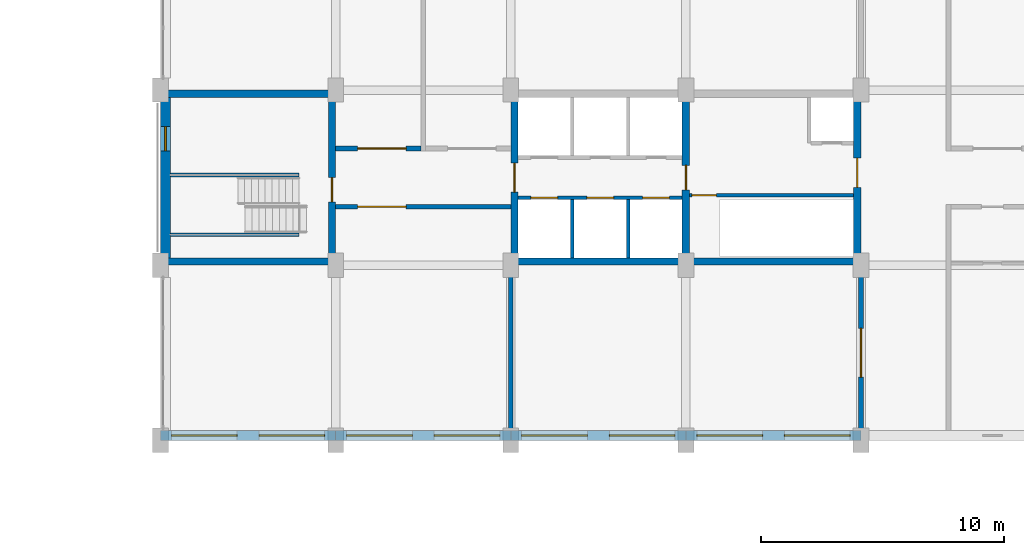
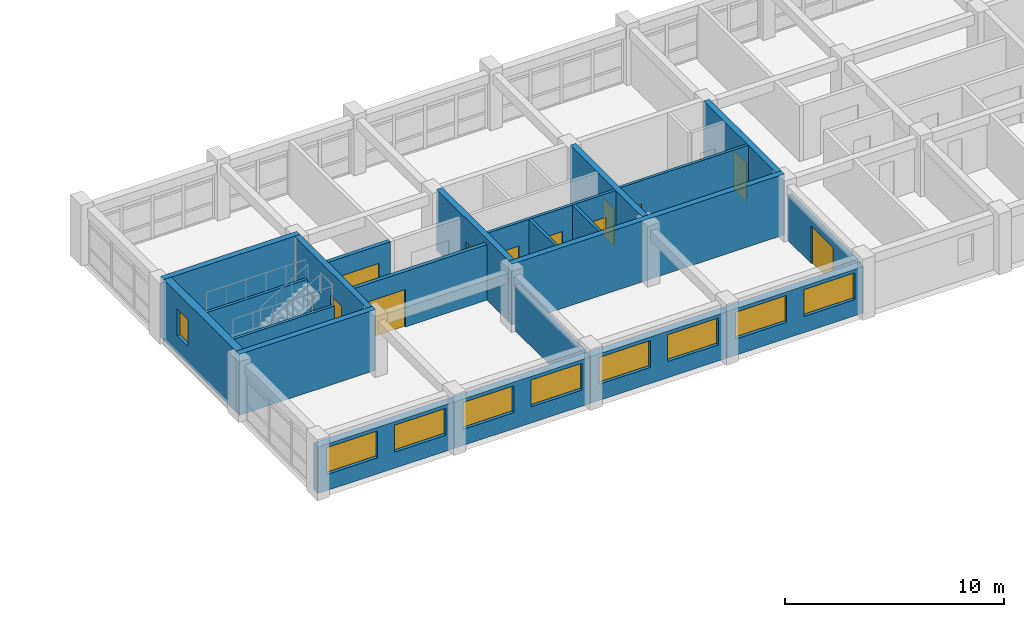
# One storey, part 15 of 19: 22 walls, 11 doors, 9 windows, 20 openings.
"""IFC4 building model written with IfcOpenShell, lengths in metres."""

from ifc_helpers import new_model, si_unit, direction, frame, frame_2d, origin, place, context, subcontext, project, spatial, rectangle, extrude, material, layer, layer_set, type_object, element, fill, save


model = new_model("IFC4")

# Units and contexts
model_context = context("Model", 3, precision=1e-05, world=origin(), true_north=direction((0.0, 1.0)))
body_context = subcontext(model_context, "Body", "Model", "MODEL_VIEW")
ifc_project = project(units=[si_unit("LENGTHUNIT", "METRE"), si_unit("AREAUNIT", "SQUARE_METRE"), si_unit("VOLUMEUNIT", "CUBIC_METRE"), si_unit("PLANEANGLEUNIT", "RADIAN"), si_unit("MASSUNIT", "GRAM", prefix="KILO")], contexts=[model_context])

# Site, building, storey
site_placement = place(None, origin())
site = spatial("IfcSite", under=ifc_project, at=site_placement, CompositionType="ELEMENT")
building_placement = place(site_placement, origin())
building = spatial("IfcBuilding", under=site, at=building_placement, Name="Vermilion Court Aquatics Centre", CompositionType="ELEMENT")
storey_placement = place(building_placement, frame((0.0, 0.0, 19.89990234375)))
storey = spatial("IfcBuildingStorey", under=building, at=storey_placement, Name="L04", CompositionType="ELEMENT", Elevation=19.89990234375)

# Wall, openings, windows
ifc_material_1 = material(Name="Brick masonry", Category="masonry")
ifc_layer_1 = layer(ifc_material_1, 0.39990234375)
ifc_layer_set_1 = layer_set([ifc_layer_1], Name="North block brick facade wall 400")
wall_type_1 = type_object("IfcWallType", Name="North block brick facade wall 400", PredefinedType="SOLIDWALL", material=ifc_layer_set_1)
wall_1_placement = place(storey_placement, frame((144.0, 93.800048828125, 0.0), z_axis=(0.0, 0.0, 1.0), x_axis=(1.0, 0.0, 0.0)))
wall_1 = element("IfcWall", 1, at=wall_1_placement, inside=storey, type_object=wall_type_1, Name="Brick facade wall S1 L04", PredefinedType="SOLIDWALL", context=body_context, shape_type="SweptSolid", body=[
    extrude(rectangle(XDim=7.199951171875, YDim=0.39990234375, at=frame_2d((3.60009765625, 0.0))), origin(), (0.0, 0.0, 1.0), 2.60009765625),
])
opening_1_placement = place(wall_1_placement, frame((0.449951171875, 0.0, 0.89990234375)))
opening_1 = element("IfcOpeningElement", 2, at=opening_1_placement, cuts=wall_1, Name="Opening UWN8", PredefinedType="OPENING", context=body_context, shape_type="SweptSolid", body=[
    extrude(rectangle(XDim=2.699951171875, YDim=1.5, at=frame_2d((1.35009765625, 0.75))), frame((0.0, 0.2099609375, 0.0), z_axis=(0.0, -1.0, 0.0), x_axis=(1.0, 0.0, 0.0)), (0.0, 0.0, 1.0), 0.419921875),
])
opening_2_placement = place(wall_1_placement, frame((4.050048828125, 0.0, 0.89990234375)))
opening_2 = element("IfcOpeningElement", 3, at=opening_2_placement, cuts=wall_1, Name="Opening UWN8", PredefinedType="OPENING", context=body_context, shape_type="SweptSolid", body=[
    extrude(rectangle(XDim=2.699951171875, YDim=1.5, at=frame_2d((1.35009765625, 0.75))), frame((0.0, 0.2099609375, 0.0), z_axis=(0.0, -1.0, 0.0), x_axis=(1.0, 0.0, 0.0)), (0.0, 0.0, 1.0), 0.419921875),
])
ifc_material_2 = material(Name="Aluminium 6063-T5", Category="aluminium")
window_type_1 = type_object("IfcWindowType", Name="North block hall window 2700x1500", PartitioningType="TRIPLE_PANEL_VERTICAL", PredefinedType="WINDOW", material=ifc_material_2)
window_1_placement = place(opening_1_placement, origin())
window_1 = element("IfcWindow", 4, at=window_1_placement, inside=storey, type_object=window_type_1, Name="Window s 0 L04", OverallHeight=1.5, OverallWidth=2.699951171875, PartitioningType="TRIPLE_PANEL_VERTICAL", PredefinedType="WINDOW", context=body_context, shape_type="SweptSolid", body=[
    extrude(rectangle(XDim=2.699951171875, YDim=1.5, at=frame_2d((1.35009765625, 0.75))), frame((0.0, 0.030029296875, 0.0), z_axis=(0.0, -1.0, 0.0), x_axis=(1.0, 0.0, 0.0)), (0.0, 0.0, 1.0), 0.06005859375),
])
fill(opening_1, window_1)
window_2_placement = place(opening_2_placement, origin())
window_2 = element("IfcWindow", 5, at=window_2_placement, inside=storey, type_object=window_type_1, Name="Window s 1 L04", OverallHeight=1.5, OverallWidth=2.699951171875, PartitioningType="TRIPLE_PANEL_VERTICAL", PredefinedType="WINDOW", context=body_context, shape_type="SweptSolid", body=[
    extrude(rectangle(XDim=2.699951171875, YDim=1.5, at=frame_2d((1.35009765625, 0.75))), frame((0.0, 0.030029296875, 0.0), z_axis=(0.0, -1.0, 0.0), x_axis=(1.0, 0.0, 0.0)), (0.0, 0.0, 1.0), 0.06005859375),
])
fill(opening_2, window_2)

wall_2_placement = place(storey_placement, frame((151.199951171875, 93.800048828125, 0.0), z_axis=(0.0, 0.0, 1.0), x_axis=(1.0, 0.0, 0.0)))
wall_2 = element("IfcWall", 6, at=wall_2_placement, inside=storey, type_object=wall_type_1, Name="Brick facade wall S2 L04", PredefinedType="SOLIDWALL", context=body_context, shape_type="SweptSolid", body=[
    extrude(rectangle(XDim=7.199951171875, YDim=0.39990234375, at=frame_2d((3.60009765625, 0.0))), origin(), (0.0, 0.0, 1.0), 2.60009765625),
])
opening_3_placement = place(wall_2_placement, frame((0.449951171875, 0.0, 0.89990234375)))
opening_3 = element("IfcOpeningElement", 7, at=opening_3_placement, cuts=wall_2, Name="Opening UWN8", PredefinedType="OPENING", context=body_context, shape_type="SweptSolid", body=[
    extrude(rectangle(XDim=2.699951171875, YDim=1.5, at=frame_2d((1.35009765625, 0.75))), frame((0.0, 0.2099609375, 0.0), z_axis=(0.0, -1.0, 0.0), x_axis=(1.0, 0.0, 0.0)), (0.0, 0.0, 1.0), 0.419921875),
])
opening_4_placement = place(wall_2_placement, frame((4.050048828125, 0.0, 0.89990234375)))
opening_4 = element("IfcOpeningElement", 8, at=opening_4_placement, cuts=wall_2, Name="Opening UWN8", PredefinedType="OPENING", context=body_context, shape_type="SweptSolid", body=[
    extrude(rectangle(XDim=2.699951171875, YDim=1.5, at=frame_2d((1.35009765625, 0.75))), frame((0.0, 0.2099609375, 0.0), z_axis=(0.0, -1.0, 0.0), x_axis=(1.0, 0.0, 0.0)), (0.0, 0.0, 1.0), 0.419921875),
])
window_3_placement = place(opening_3_placement, origin())
window_3 = element("IfcWindow", 9, at=window_3_placement, inside=storey, type_object=window_type_1, Name="Window s 2 L04", OverallHeight=1.5, OverallWidth=2.699951171875, PartitioningType="TRIPLE_PANEL_VERTICAL", PredefinedType="WINDOW", context=body_context, shape_type="SweptSolid", body=[
    extrude(rectangle(XDim=2.699951171875, YDim=1.5, at=frame_2d((1.35009765625, 0.75))), frame((0.0, 0.030029296875, 0.0), z_axis=(0.0, -1.0, 0.0), x_axis=(1.0, 0.0, 0.0)), (0.0, 0.0, 1.0), 0.06005859375),
])
fill(opening_3, window_3)
window_4_placement = place(opening_4_placement, origin())
window_4 = element("IfcWindow", 10, at=window_4_placement, inside=storey, type_object=window_type_1, Name="Window s 3 L04", OverallHeight=1.5, OverallWidth=2.699951171875, PartitioningType="TRIPLE_PANEL_VERTICAL", PredefinedType="WINDOW", context=body_context, shape_type="SweptSolid", body=[
    extrude(rectangle(XDim=2.699951171875, YDim=1.5, at=frame_2d((1.35009765625, 0.75))), frame((0.0, 0.030029296875, 0.0), z_axis=(0.0, -1.0, 0.0), x_axis=(1.0, 0.0, 0.0)), (0.0, 0.0, 1.0), 0.06005859375),
])
fill(opening_4, window_4)

wall_3_placement = place(storey_placement, frame((158.39990234375, 93.800048828125, 0.0), z_axis=(0.0, 0.0, 1.0), x_axis=(1.0, 0.0, 0.0)))
wall_3 = element("IfcWall", 11, at=wall_3_placement, inside=storey, type_object=wall_type_1, Name="Brick facade wall S3 L04", PredefinedType="SOLIDWALL", context=body_context, shape_type="SweptSolid", body=[
    extrude(rectangle(XDim=7.2001953125, YDim=0.39990234375, at=frame_2d((3.60009765625, 0.0))), origin(), (0.0, 0.0, 1.0), 2.60009765625),
])
opening_5_placement = place(wall_3_placement, frame((0.449951171875, 0.0, 0.89990234375)))
opening_5 = element("IfcOpeningElement", 12, at=opening_5_placement, cuts=wall_3, Name="Opening UWN8", PredefinedType="OPENING", context=body_context, shape_type="SweptSolid", body=[
    extrude(rectangle(XDim=2.699951171875, YDim=1.5, at=frame_2d((1.35009765625, 0.75))), frame((0.0, 0.2099609375, 0.0), z_axis=(0.0, -1.0, 0.0), x_axis=(1.0, 0.0, 0.0)), (0.0, 0.0, 1.0), 0.419921875),
])
opening_6_placement = place(wall_3_placement, frame((4.050048828125, 0.0, 0.89990234375)))
opening_6 = element("IfcOpeningElement", 13, at=opening_6_placement, cuts=wall_3, Name="Opening UWN8", PredefinedType="OPENING", context=body_context, shape_type="SweptSolid", body=[
    extrude(rectangle(XDim=2.699951171875, YDim=1.5, at=frame_2d((1.35009765625, 0.75))), frame((0.0, 0.2099609375, 0.0), z_axis=(0.0, -1.0, 0.0), x_axis=(1.0, 0.0, 0.0)), (0.0, 0.0, 1.0), 0.419921875),
])
window_5_placement = place(opening_5_placement, origin())
window_5 = element("IfcWindow", 14, at=window_5_placement, inside=storey, type_object=window_type_1, Name="Window s 4 L04", OverallHeight=1.5, OverallWidth=2.699951171875, PartitioningType="TRIPLE_PANEL_VERTICAL", PredefinedType="WINDOW", context=body_context, shape_type="SweptSolid", body=[
    extrude(rectangle(XDim=2.699951171875, YDim=1.5, at=frame_2d((1.35009765625, 0.75))), frame((0.0, 0.030029296875, 0.0), z_axis=(0.0, -1.0, 0.0), x_axis=(1.0, 0.0, 0.0)), (0.0, 0.0, 1.0), 0.06005859375),
])
fill(opening_5, window_5)
window_6_placement = place(opening_6_placement, origin())
window_6 = element("IfcWindow", 15, at=window_6_placement, inside=storey, type_object=window_type_1, Name="Window s 5 L04", OverallHeight=1.5, OverallWidth=2.699951171875, PartitioningType="TRIPLE_PANEL_VERTICAL", PredefinedType="WINDOW", context=body_context, shape_type="SweptSolid", body=[
    extrude(rectangle(XDim=2.699951171875, YDim=1.5, at=frame_2d((1.35009765625, 0.75))), frame((0.0, 0.030029296875, 0.0), z_axis=(0.0, -1.0, 0.0), x_axis=(1.0, 0.0, 0.0)), (0.0, 0.0, 1.0), 0.06005859375),
])
fill(opening_6, window_6)

wall_4_placement = place(storey_placement, frame((165.60009765625, 93.800048828125, 0.0), z_axis=(0.0, 0.0, 1.0), x_axis=(1.0, 0.0, 0.0)))
wall_4 = element("IfcWall", 16, at=wall_4_placement, inside=storey, type_object=wall_type_1, Name="Brick facade wall S4 L04", PredefinedType="SOLIDWALL", context=body_context, shape_type="SweptSolid", body=[
    extrude(rectangle(XDim=7.199951171875, YDim=0.39990234375, at=frame_2d((3.60009765625, 0.0))), origin(), (0.0, 0.0, 1.0), 2.60009765625),
])
opening_7_placement = place(wall_4_placement, frame((0.449951171875, 0.0, 0.89990234375)))
opening_7 = element("IfcOpeningElement", 17, at=opening_7_placement, cuts=wall_4, Name="Opening UWN8", PredefinedType="OPENING", context=body_context, shape_type="SweptSolid", body=[
    extrude(rectangle(XDim=2.699951171875, YDim=1.5, at=frame_2d((1.35009765625, 0.75))), frame((0.0, 0.2099609375, 0.0), z_axis=(0.0, -1.0, 0.0), x_axis=(1.0, 0.0, 0.0)), (0.0, 0.0, 1.0), 0.419921875),
])
opening_8_placement = place(wall_4_placement, frame((4.050048828125, 0.0, 0.89990234375)))
opening_8 = element("IfcOpeningElement", 18, at=opening_8_placement, cuts=wall_4, Name="Opening UWN8", PredefinedType="OPENING", context=body_context, shape_type="SweptSolid", body=[
    extrude(rectangle(XDim=2.699951171875, YDim=1.5, at=frame_2d((1.35009765625, 0.75))), frame((0.0, 0.2099609375, 0.0), z_axis=(0.0, -1.0, 0.0), x_axis=(1.0, 0.0, 0.0)), (0.0, 0.0, 1.0), 0.419921875),
])
window_7_placement = place(opening_7_placement, origin())
window_7 = element("IfcWindow", 19, at=window_7_placement, inside=storey, type_object=window_type_1, Name="Window s 6 L04", OverallHeight=1.5, OverallWidth=2.699951171875, PartitioningType="TRIPLE_PANEL_VERTICAL", PredefinedType="WINDOW", context=body_context, shape_type="SweptSolid", body=[
    extrude(rectangle(XDim=2.699951171875, YDim=1.5, at=frame_2d((1.35009765625, 0.75))), frame((0.0, 0.030029296875, 0.0), z_axis=(0.0, -1.0, 0.0), x_axis=(1.0, 0.0, 0.0)), (0.0, 0.0, 1.0), 0.06005859375),
])
fill(opening_7, window_7)
window_8_placement = place(opening_8_placement, origin())
window_8 = element("IfcWindow", 20, at=window_8_placement, inside=storey, type_object=window_type_1, Name="Window s 7 L04", OverallHeight=1.5, OverallWidth=2.699951171875, PartitioningType="TRIPLE_PANEL_VERTICAL", PredefinedType="WINDOW", context=body_context, shape_type="SweptSolid", body=[
    extrude(rectangle(XDim=2.699951171875, YDim=1.5, at=frame_2d((1.35009765625, 0.75))), frame((0.0, 0.030029296875, 0.0), z_axis=(0.0, -1.0, 0.0), x_axis=(1.0, 0.0, 0.0)), (0.0, 0.0, 1.0), 0.06005859375),
])
fill(opening_8, window_8)

# Wall, opening, window
ifc_material_3 = material(Name="Concrete 8000 psi", Category="concrete")
ifc_layer_2 = layer(ifc_material_3, 0.39990234375)
ifc_layer_set_2 = layer_set([ifc_layer_2], Name="North block core brick-faced shear wall 400")
wall_type_2 = type_object("IfcWallType", Name="North block core brick-faced shear wall 400", PredefinedType="SHEAR", material=ifc_layer_set_2)
wall_5_placement = place(storey_placement, frame((144.199951171875, 101.10009765625, 0.0), z_axis=(0.0, 0.0, 1.0), x_axis=(0.0, 1.0, 0.0)))
wall_5 = element("IfcWall", 21, at=wall_5_placement, inside=storey, type_object=wall_type_2, Name="Stair 1 shear wall outer L04", PredefinedType="SHEAR", context=body_context, shape_type="SweptSolid", body=[
    extrude(rectangle(XDim=6.599853515625, YDim=0.39990234375, at=frame_2d((3.2998046875, 0.0))), origin(), (0.0, 0.0, 1.0), 3.400146484375),
])
opening_9_placement = place(wall_5_placement, frame((4.39990234375, 0.0, 1.0)))
opening_9 = element("IfcOpeningElement", 22, at=opening_9_placement, cuts=wall_5, Name="Opening UWN5", PredefinedType="OPENING", context=body_context, shape_type="SweptSolid", body=[
    extrude(rectangle(XDim=1.0, YDim=1.5, at=frame_2d((0.5, 0.75))), frame((0.0, 0.2099609375, 0.0), z_axis=(0.0, -1.0, 0.0), x_axis=(1.0, 0.0, 0.0)), (0.0, 0.0, 1.0), 0.419921875),
])
ifc_material_4 = material(Name="Aluminium 6063-T5", Category="aluminium")
window_type_2 = type_object("IfcWindowType", Name="North block stair window 1000x1500", PartitioningType="SINGLE_PANEL", PredefinedType="WINDOW", material=ifc_material_4)
window_9_placement = place(opening_9_placement, origin())
window_9 = element("IfcWindow", 23, at=window_9_placement, inside=storey, type_object=window_type_2, Name="Stair 1 window", OverallHeight=1.5, OverallWidth=1.0, PartitioningType="SINGLE_PANEL", PredefinedType="WINDOW", context=body_context, shape_type="SweptSolid", body=[
    extrude(rectangle(XDim=1.0, YDim=1.5, at=frame_2d((0.5, 0.75))), frame((0.0, 0.030029296875, 0.0), z_axis=(0.0, -1.0, 0.0), x_axis=(1.0, 0.0, 0.0)), (0.0, 0.0, 1.0), 0.06005859375),
])
fill(opening_9, window_9)

# Wall
ifc_material_5 = material(Name="Concrete 8000 psi", Category="concrete")
ifc_layer_3 = layer(ifc_material_5, 0.300048828125)
ifc_layer_set_3 = layer_set([ifc_layer_3], Name="North block core shear wall 300")
wall_type_3 = type_object("IfcWallType", Name="North block core shear wall 300", PredefinedType="SHEAR", material=ifc_layer_set_3)
wall_6_placement = place(storey_placement, frame((158.39990234375, 100.949951171875, 0.0), z_axis=(0.0, 0.0, 1.0), x_axis=(1.0, 0.0, 0.0)))
element("IfcWall", 24, at=wall_6_placement, inside=storey, type_object=wall_type_3, Name="Core shear wall south L04", PredefinedType="SHEAR", context=body_context, shape_type="SweptSolid", body=[
    extrude(rectangle(XDim=14.400146484375, YDim=0.300048828125, at=frame_2d((7.2001953125, 0.0))), origin(), (0.0, 0.0, 1.0), 3.400146484375),
])

# Wall, opening, door
wall_7_placement = place(storey_placement, frame((158.550048828125, 101.10009765625, 0.0), z_axis=(0.0, 0.0, 1.0), x_axis=(0.0, 1.0, 0.0)))
wall_7 = element("IfcWall", 25, at=wall_7_placement, inside=storey, type_object=wall_type_3, Name="Core shear wall west L04", PredefinedType="SHEAR", context=body_context, shape_type="SweptSolid", body=[
    extrude(rectangle(XDim=6.599853515625, YDim=0.300048828125, at=frame_2d((3.2998046875, 0.0))), origin(), (0.0, 0.0, 1.0), 3.400146484375),
])
opening_10_placement = place(wall_7_placement, frame((2.699951171875, 0.0, 0.0)))
opening_10 = element("IfcOpeningElement", 26, at=opening_10_placement, cuts=wall_7, Name="Opening U04-013", PredefinedType="OPENING", context=body_context, shape_type="SweptSolid", body=[
    extrude(rectangle(XDim=1.199951171875, YDim=2.10009765625, at=frame_2d((0.60009765625, 1.050048828125))), frame((0.0, 0.159912109375, 0.0), z_axis=(0.0, -1.0, 0.0), x_axis=(1.0, 0.0, 0.0)), (0.0, 0.0, 1.0), 0.320068359375),
])
ifc_material_6 = material(Name="Hollow metal")
door_type_1 = type_object("IfcDoorType", Name="North block fire door FD90 1200x2100", OperationType="NOTDEFINED", PredefinedType="DOOR", material=ifc_material_6)
door_1_placement = place(opening_10_placement, origin())
door_1 = element("IfcDoor", 27, at=door_1_placement, inside=storey, type_object=door_type_1, Name="Core lobby door west L04", OperationType="SINGLE_SWING_LEFT", OverallHeight=2.10009765625, OverallWidth=1.199951171875, PredefinedType="DOOR", context=body_context, shape_type="SweptSolid", body=[
    extrude(rectangle(XDim=1.199951171875, YDim=2.10009765625, at=frame_2d((0.60009765625, 1.050048828125))), frame((0.0, 0.02490234375, 0.0), z_axis=(0.0, -1.0, 0.0), x_axis=(1.0, 0.0, 0.0)), (0.0, 0.0, 1.0), 0.050048828125),
])
fill(opening_10, door_1)

wall_8_placement = place(storey_placement, frame((165.60009765625, 101.10009765625, 0.0), z_axis=(0.0, 0.0, 1.0), x_axis=(0.0, 1.0, 0.0)))
wall_8 = element("IfcWall", 28, at=wall_8_placement, inside=storey, type_object=wall_type_3, Name="Core shear wall cross L04", PredefinedType="SHEAR", context=body_context, shape_type="SweptSolid", body=[
    extrude(rectangle(XDim=6.599853515625, YDim=0.300048828125, at=frame_2d((3.2998046875, 0.0))), origin(), (0.0, 0.0, 1.0), 3.400146484375),
])
opening_11_placement = place(wall_8_placement, frame((2.800048828125, 0.0, 0.0)))
opening_11 = element("IfcOpeningElement", 29, at=opening_11_placement, cuts=wall_8, Name="Opening U04-014", PredefinedType="OPENING", context=body_context, shape_type="SweptSolid", body=[
    extrude(rectangle(XDim=1.0, YDim=2.10009765625, at=frame_2d((0.5, 1.050048828125))), frame((0.0, 0.159912109375, 0.0), z_axis=(0.0, -1.0, 0.0), x_axis=(1.0, 0.0, 0.0)), (0.0, 0.0, 1.0), 0.320068359375),
])
ifc_material_7 = material(Name="Hollow metal")
door_type_2 = type_object("IfcDoorType", Name="North block fire door FD90 1000x2100", OperationType="NOTDEFINED", PredefinedType="DOOR", material=ifc_material_7)
door_2_placement = place(opening_11_placement, frame((1.0, 0.0, 0.0), z_axis=(0.0, 0.0, 1.0), x_axis=(-1.0, 0.0, 0.0)))
door_2 = element("IfcDoor", 30, at=door_2_placement, inside=storey, type_object=door_type_2, Name="Core cross door L04", OperationType="SINGLE_SWING_RIGHT", OverallHeight=2.10009765625, OverallWidth=1.0, PredefinedType="DOOR", context=body_context, shape_type="SweptSolid", body=[
    extrude(rectangle(XDim=1.0, YDim=2.10009765625, at=frame_2d((0.5, 1.050048828125))), frame((0.0, 0.025146484375, 0.0), z_axis=(0.0, -1.0, 0.0), x_axis=(1.0, 0.0, 0.0)), (0.0, 0.0, 1.0), 0.050048828125),
])
fill(opening_11, door_2)

wall_9_placement = place(storey_placement, frame((172.64990234375, 101.10009765625, 0.0), z_axis=(0.0, 0.0, 1.0), x_axis=(0.0, 1.0, 0.0)))
wall_9 = element("IfcWall", 31, at=wall_9_placement, inside=storey, type_object=wall_type_3, Name="Core shear wall east L04", PredefinedType="SHEAR", context=body_context, shape_type="SweptSolid", body=[
    extrude(rectangle(XDim=6.599853515625, YDim=0.300048828125, at=frame_2d((3.2998046875, 0.0))), origin(), (0.0, 0.0, 1.0), 3.400146484375),
])
opening_12_placement = place(wall_9_placement, frame((2.89990234375, 0.0, 0.0)))
opening_12 = element("IfcOpeningElement", 32, at=opening_12_placement, cuts=wall_9, Name="Opening U04-015", PredefinedType="OPENING", context=body_context, shape_type="SweptSolid", body=[
    extrude(rectangle(XDim=1.199951171875, YDim=2.10009765625, at=frame_2d((0.60009765625, 1.050048828125))), frame((0.0, 0.159912109375, 0.0), z_axis=(0.0, -1.0, 0.0), x_axis=(1.0, 0.0, 0.0)), (0.0, 0.0, 1.0), 0.320068359375),
])
door_3_placement = place(opening_12_placement, origin())
door_3 = element("IfcDoor", 33, at=door_3_placement, inside=storey, type_object=door_type_1, Name="Core lobby door east L04", OperationType="SINGLE_SWING_LEFT", OverallHeight=2.10009765625, OverallWidth=1.199951171875, PredefinedType="DOOR", context=body_context, shape_type="SweptSolid", body=[
    extrude(rectangle(XDim=1.199951171875, YDim=2.10009765625, at=frame_2d((0.60009765625, 1.050048828125))), frame((0.0, 0.02490234375, 0.0), z_axis=(0.0, -1.0, 0.0), x_axis=(1.0, 0.0, 0.0)), (0.0, 0.0, 1.0), 0.050048828125),
])
fill(opening_12, door_3)

# Walls
for number, where, z_axis, x_axis, name in (
    (34, (144.0, 100.949951171875, 0.0), (0.0, 0.0, 1.0), (1.0, 0.0, 0.0), "Stair 1 shear wall south L04"),
    (35, (144.0, 107.85009765625, 0.0), (0.0, 0.0, 1.0), (1.0, 0.0, 0.0), "Stair 1 shear wall north L04"),
):
    element("IfcWall", number, at=place(storey_placement, frame(where, z_axis=z_axis, x_axis=x_axis)), inside=storey, type_object=wall_type_3, Name=name, PredefinedType="SHEAR", context=body_context, shape_type="SweptSolid", body=[
        extrude(rectangle(XDim=7.199951171875, YDim=0.300048828125, at=frame_2d((3.60009765625, 0.0))), origin(), (0.0, 0.0, 1.0), 3.400146484375),
    ])

# Wall, opening, door
wall_10_placement = place(storey_placement, frame((151.050048828125, 101.10009765625, 0.0), z_axis=(0.0, 0.0, 1.0), x_axis=(0.0, 1.0, 0.0)))
wall_10 = element("IfcWall", 36, at=wall_10_placement, inside=storey, type_object=wall_type_3, Name="Stair 1 shear wall inner L04", PredefinedType="SHEAR", context=body_context, shape_type="SweptSolid", body=[
    extrude(rectangle(XDim=6.599853515625, YDim=0.300048828125, at=frame_2d((3.2998046875, 0.0))), origin(), (0.0, 0.0, 1.0), 3.400146484375),
])
opening_13_placement = place(wall_10_placement, frame((2.300048828125, 0.0, 0.0)))
opening_13 = element("IfcOpeningElement", 37, at=opening_13_placement, cuts=wall_10, Name="Opening U04-018", PredefinedType="OPENING", context=body_context, shape_type="SweptSolid", body=[
    extrude(rectangle(XDim=1.0, YDim=2.10009765625, at=frame_2d((0.5, 1.050048828125))), frame((0.0, 0.159912109375, 0.0), z_axis=(0.0, -1.0, 0.0), x_axis=(1.0, 0.0, 0.0)), (0.0, 0.0, 1.0), 0.320068359375),
])
door_4_placement = place(opening_13_placement, origin())
door_4 = element("IfcDoor", 38, at=door_4_placement, inside=storey, type_object=door_type_2, Name="Stair 1 door L04", OperationType="SINGLE_SWING_LEFT", OverallHeight=2.10009765625, OverallWidth=1.0, PredefinedType="DOOR", context=body_context, shape_type="SweptSolid", body=[
    extrude(rectangle(XDim=1.0, YDim=2.10009765625, at=frame_2d((0.5, 1.050048828125))), frame((0.0, 0.02490234375, 0.0), z_axis=(0.0, -1.0, 0.0), x_axis=(1.0, 0.0, 0.0)), (0.0, 0.0, 1.0), 0.050048828125),
])
fill(opening_13, door_4)

# Walls
ifc_material_8 = material(Name="Concrete 5000 psi", Category="concrete")
ifc_layer_4 = layer(ifc_material_8, 0.14990234375)
ifc_layer_set_4 = layer_set([ifc_layer_4], Name="North block lift shaft partition 150")
wall_type_4 = type_object("IfcWallType", Name="North block lift shaft partition 150", PredefinedType="PARTITIONING", material=ifc_layer_set_4)
for number, where, z_axis, x_axis, name in (
    (39, (160.925048828125, 101.10009765625, 0.0), (0.0, 0.0, 1.0), (0.0, 1.0, 0.0), "Lift shaft wall S1 L04"),
    (40, (163.22509765625, 101.10009765625, 0.0), (0.0, 0.0, 1.0), (0.0, 1.0, 0.0), "Lift shaft wall S2 L04"),
):
    element("IfcWall", number, at=place(storey_placement, frame(where, z_axis=z_axis, x_axis=x_axis)), inside=storey, type_object=wall_type_4, Name=name, PredefinedType="PARTITIONING", context=body_context, shape_type="SweptSolid", body=[
        extrude(rectangle(XDim=2.39990234375, YDim=0.14990234375, at=frame_2d((1.199951171875, 0.0))), origin(), (0.0, 0.0, 1.0), 3.400146484375),
    ])

# Wall, openings, doors
wall_11_placement = place(storey_placement, frame((158.699951171875, 103.574951171875, 0.0), z_axis=(0.0, 0.0, 1.0), x_axis=(1.0, 0.0, 0.0)))
wall_11 = element("IfcWall", 41, at=wall_11_placement, inside=storey, type_object=wall_type_4, Name="Lift shaft front wall S L04", PredefinedType="PARTITIONING", context=body_context, shape_type="SweptSolid", body=[
    extrude(rectangle(XDim=6.75, YDim=0.14990234375, at=frame_2d((3.375, 0.0))), origin(), (0.0, 0.0, 1.0), 3.400146484375),
])
opening_14_placement = place(wall_11_placement, frame((0.52490234375, 0.0, 0.0)))
opening_14 = element("IfcOpeningElement", 42, at=opening_14_placement, cuts=wall_11, Name="Opening LD1-04", PredefinedType="OPENING", context=body_context, shape_type="SweptSolid", body=[
    extrude(rectangle(XDim=1.10009765625, YDim=2.10009765625, at=frame_2d((0.550048828125, 1.050048828125))), frame((0.0, 0.0849609375, 0.0), z_axis=(0.0, -1.0, 0.0), x_axis=(1.0, 0.0, 0.0)), (0.0, 0.0, 1.0), 0.169921875),
])
opening_15_placement = place(wall_11_placement, frame((2.824951171875, 0.0, 0.0)))
opening_15 = element("IfcOpeningElement", 43, at=opening_15_placement, cuts=wall_11, Name="Opening LD2-04", PredefinedType="OPENING", context=body_context, shape_type="SweptSolid", body=[
    extrude(rectangle(XDim=1.10009765625, YDim=2.10009765625, at=frame_2d((0.550048828125, 1.050048828125))), frame((0.0, 0.0849609375, 0.0), z_axis=(0.0, -1.0, 0.0), x_axis=(1.0, 0.0, 0.0)), (0.0, 0.0, 1.0), 0.169921875),
])
opening_16_placement = place(wall_11_placement, frame((5.125, 0.0, 0.0)))
opening_16 = element("IfcOpeningElement", 44, at=opening_16_placement, cuts=wall_11, Name="Opening LD3-04", PredefinedType="OPENING", context=body_context, shape_type="SweptSolid", body=[
    extrude(rectangle(XDim=1.10009765625, YDim=2.10009765625, at=frame_2d((0.550048828125, 1.050048828125))), frame((0.0, 0.0849609375, 0.0), z_axis=(0.0, -1.0, 0.0), x_axis=(1.0, 0.0, 0.0)), (0.0, 0.0, 1.0), 0.169921875),
])
ifc_material_9 = material(Name="Hollow metal")
door_type_3 = type_object("IfcDoorType", Name="North block lift landing door 1100x2100", OperationType="DOUBLE_DOOR_SLIDING", PredefinedType="DOOR", material=ifc_material_9)
door_5_placement = place(opening_14_placement, origin())
door_5 = element("IfcDoor", 45, at=door_5_placement, inside=storey, type_object=door_type_3, Name="Lift landing door L1 L04", OperationType="DOUBLE_DOOR_SLIDING", OverallHeight=2.10009765625, OverallWidth=1.10009765625, PredefinedType="DOOR", context=body_context, shape_type="SweptSolid", body=[
    extrude(rectangle(XDim=1.10009765625, YDim=2.10009765625, at=frame_2d((0.550048828125, 1.050048828125))), frame((0.0, 0.02490234375, 0.0), z_axis=(0.0, -1.0, 0.0), x_axis=(1.0, 0.0, 0.0)), (0.0, 0.0, 1.0), 0.050048828125),
])
fill(opening_14, door_5)
door_6_placement = place(opening_15_placement, origin())
door_6 = element("IfcDoor", 46, at=door_6_placement, inside=storey, type_object=door_type_3, Name="Lift landing door L2 L04", OperationType="DOUBLE_DOOR_SLIDING", OverallHeight=2.10009765625, OverallWidth=1.10009765625, PredefinedType="DOOR", context=body_context, shape_type="SweptSolid", body=[
    extrude(rectangle(XDim=1.10009765625, YDim=2.10009765625, at=frame_2d((0.550048828125, 1.050048828125))), frame((0.0, 0.02490234375, 0.0), z_axis=(0.0, -1.0, 0.0), x_axis=(1.0, 0.0, 0.0)), (0.0, 0.0, 1.0), 0.050048828125),
])
fill(opening_15, door_6)
door_7_placement = place(opening_16_placement, origin())
door_7 = element("IfcDoor", 47, at=door_7_placement, inside=storey, type_object=door_type_3, Name="Lift landing door L3 L04", OperationType="DOUBLE_DOOR_SLIDING", OverallHeight=2.10009765625, OverallWidth=1.10009765625, PredefinedType="DOOR", context=body_context, shape_type="SweptSolid", body=[
    extrude(rectangle(XDim=1.10009765625, YDim=2.10009765625, at=frame_2d((0.550048828125, 1.050048828125))), frame((0.0, 0.02490234375, 0.0), z_axis=(0.0, -1.0, 0.0), x_axis=(1.0, 0.0, 0.0)), (0.0, 0.0, 1.0), 0.050048828125),
])
fill(opening_16, door_7)

# Wall, opening, door
ifc_material_10 = material(Name="Concrete masonry ASTM C90 Type I", Category="masonry")
ifc_layer_5 = layer(ifc_material_10, 0.199951171875)
ifc_layer_set_5 = layer_set([ifc_layer_5], Name="North block party wall 200")
wall_type_5 = type_object("IfcWallType", Name="North block party wall 200", PredefinedType="PARTITIONING", material=ifc_layer_set_5)
wall_12_placement = place(storey_placement, frame((151.199951171875, 103.199951171875, 0.0), z_axis=(0.0, 0.0, 1.0), x_axis=(1.0, 0.0, 0.0)))
wall_12 = element("IfcWall", 48, at=wall_12_placement, inside=storey, type_object=wall_type_5, Name="Corridor wall 0401", PredefinedType="PARTITIONING", context=body_context, shape_type="SweptSolid", body=[
    extrude(rectangle(XDim=7.199951171875, YDim=0.199951171875, at=frame_2d((3.60009765625, 0.0))), origin(), (0.0, 0.0, 1.0), 3.10009765625),
])
opening_17_placement = place(wall_12_placement, frame((0.89990234375, 0.0, 0.0)))
opening_17 = element("IfcOpeningElement", 49, at=opening_17_placement, cuts=wall_12, Name="Opening U04-001", PredefinedType="OPENING", context=body_context, shape_type="SweptSolid", body=[
    extrude(rectangle(XDim=2.0, YDim=2.10009765625, at=frame_2d((1.0, 1.050048828125))), frame((0.0, 0.10986328125, 0.0), z_axis=(0.0, -1.0, 0.0), x_axis=(1.0, 0.0, 0.0)), (0.0, 0.0, 1.0), 0.219970703125),
])
ifc_material_11 = material(Name="Timber door leaf", Category="wood")
door_type_4 = type_object("IfcDoorType", Name="North block hall double door 2000x2100", OperationType="DOUBLE_DOOR_SINGLE_SWING", PredefinedType="DOOR", material=ifc_material_11)
door_8_placement = place(opening_17_placement, origin())
door_8 = element("IfcDoor", 50, at=door_8_placement, inside=storey, type_object=door_type_4, Name="Movement Studio door 0401", OperationType="DOUBLE_DOOR_SINGLE_SWING", OverallHeight=2.10009765625, OverallWidth=2.0, PredefinedType="DOOR", context=body_context, shape_type="SweptSolid", body=[
    extrude(rectangle(XDim=2.0, YDim=2.10009765625, at=frame_2d((1.0, 1.050048828125))), frame((0.0, 0.02490234375, 0.0), z_axis=(0.0, -1.0, 0.0), x_axis=(1.0, 0.0, 0.0)), (0.0, 0.0, 1.0), 0.050048828125),
])
fill(opening_17, door_8)

# Wall
wall_13_placement = place(storey_placement, frame((158.39990234375, 94.0, 0.0), z_axis=(0.0, 0.0, 1.0), x_axis=(0.0, 1.0, 0.0)))
element("IfcWall", 51, at=wall_13_placement, inside=storey, type_object=wall_type_5, Name="Party wall s 4", PredefinedType="PARTITIONING", context=body_context, shape_type="SweptSolid", body=[
    extrude(rectangle(XDim=6.35009765625, YDim=0.199951171875, at=frame_2d((3.175048828125, 0.0))), origin(), (0.0, 0.0, 1.0), 2.550048828125),
])

# Wall, opening, door
wall_14_placement = place(storey_placement, frame((172.800048828125, 94.0, 0.0), z_axis=(0.0, 0.0, 1.0), x_axis=(0.0, 1.0, 0.0)))
wall_14 = element("IfcWall", 52, at=wall_14_placement, inside=storey, type_object=wall_type_5, Name="Party wall s 8", PredefinedType="PARTITIONING", context=body_context, shape_type="SweptSolid", body=[
    extrude(rectangle(XDim=6.35009765625, YDim=0.199951171875, at=frame_2d((3.175048828125, 0.0))), origin(), (0.0, 0.0, 1.0), 2.550048828125),
])
opening_18_placement = place(wall_14_placement, frame((2.199951171875, 0.0, 0.0)))
opening_18 = element("IfcOpeningElement", 53, at=opening_18_placement, cuts=wall_14, Name="Opening U04-002", PredefinedType="OPENING", context=body_context, shape_type="SweptSolid", body=[
    extrude(rectangle(XDim=2.0, YDim=2.10009765625, at=frame_2d((1.0, 1.050048828125))), frame((0.0, 0.10986328125, 0.0), z_axis=(0.0, -1.0, 0.0), x_axis=(1.0, 0.0, 0.0)), (0.0, 0.0, 1.0), 0.219970703125),
])
door_9_placement = place(opening_18_placement, frame((2.0, 0.0, 0.0), z_axis=(0.0, 0.0, 1.0), x_axis=(-1.0, 0.0, 0.0)))
door_9 = element("IfcDoor", 54, at=door_9_placement, inside=storey, type_object=door_type_4, Name="Yoga Studio door 0402", OperationType="DOUBLE_DOOR_SINGLE_SWING", OverallHeight=2.10009765625, OverallWidth=2.0, PredefinedType="DOOR", context=body_context, shape_type="SweptSolid", body=[
    extrude(rectangle(XDim=2.0, YDim=2.10009765625, at=frame_2d((1.0, 1.050048828125))), frame((0.0, 0.025146484375, 0.0), z_axis=(0.0, -1.0, 0.0), x_axis=(1.0, 0.0, 0.0)), (0.0, 0.0, 1.0), 0.050048828125),
])
fill(opening_18, door_9)

wall_15_placement = place(storey_placement, frame((151.199951171875, 105.60009765625, 0.0), z_axis=(0.0, 0.0, 1.0), x_axis=(1.0, 0.0, 0.0)))
wall_15 = element("IfcWall", 55, at=wall_15_placement, inside=storey, type_object=wall_type_5, Name="Corridor wall 0407", PredefinedType="PARTITIONING", context=body_context, shape_type="SweptSolid", body=[
    extrude(rectangle(XDim=3.5, YDim=0.199951171875, at=frame_2d((1.75, 0.0))), origin(), (0.0, 0.0, 1.0), 3.10009765625),
])
opening_19_placement = place(wall_15_placement, frame((0.89990234375, 0.0, 0.0)))
opening_19 = element("IfcOpeningElement", 56, at=opening_19_placement, cuts=wall_15, Name="Opening U04-008", PredefinedType="OPENING", context=body_context, shape_type="SweptSolid", body=[
    extrude(rectangle(XDim=2.0, YDim=2.10009765625, at=frame_2d((1.0, 1.050048828125))), frame((0.0, 0.10986328125, 0.0), z_axis=(0.0, -1.0, 0.0), x_axis=(1.0, 0.0, 0.0)), (0.0, 0.0, 1.0), 0.219970703125),
])
door_10_placement = place(opening_19_placement, frame((2.0, 0.0, 0.0), z_axis=(0.0, 0.0, 1.0), x_axis=(-1.0, 0.0, 0.0)))
door_10 = element("IfcDoor", 57, at=door_10_placement, inside=storey, type_object=door_type_4, Name="Stretching Studio door 0407", OperationType="DOUBLE_DOOR_SINGLE_SWING", OverallHeight=2.10009765625, OverallWidth=2.0, PredefinedType="DOOR", context=body_context, shape_type="SweptSolid", body=[
    extrude(rectangle(XDim=2.0, YDim=2.10009765625, at=frame_2d((1.0, 1.050048828125))), frame((0.0, 0.025146484375, 0.0), z_axis=(0.0, -1.0, 0.0), x_axis=(1.0, 0.0, 0.0)), (0.0, 0.0, 1.0), 0.050048828125),
])
fill(opening_19, door_10)

ifc_material_12 = material(Name="Concrete 5000 psi", Category="concrete")
ifc_layer_6 = layer(ifc_material_12, 0.14990234375)
ifc_layer_set_6 = layer_set([ifc_layer_6], Name="North block stair lane wall 150")
wall_type_6 = type_object("IfcWallType", Name="North block stair lane wall 150", PredefinedType="SHEAR", material=ifc_layer_set_6)
wall_16_placement = place(storey_placement, frame((165.75, 103.675048828125, 0.0), z_axis=(0.0, 0.0, 1.0), x_axis=(1.0, 0.0, 0.0)))
wall_16 = element("IfcWall", 58, at=wall_16_placement, inside=storey, type_object=wall_type_6, Name="Stair 3 wall north L04", PredefinedType="SHEAR", context=body_context, shape_type="SweptSolid", body=[
    extrude(rectangle(XDim=6.75, YDim=0.14990234375, at=frame_2d((3.375, 0.0))), origin(), (0.0, 0.0, 1.0), 3.400146484375),
])
opening_20_placement = place(wall_16_placement, frame((0.10009765625, 0.0, 0.0)))
opening_20 = element("IfcOpeningElement", 59, at=opening_20_placement, cuts=wall_16, Name="Opening U04-016", PredefinedType="OPENING", context=body_context, shape_type="SweptSolid", body=[
    extrude(rectangle(XDim=1.0, YDim=2.10009765625, at=frame_2d((0.5, 1.050048828125))), frame((0.0, 0.0849609375, 0.0), z_axis=(0.0, -1.0, 0.0), x_axis=(1.0, 0.0, 0.0)), (0.0, 0.0, 1.0), 0.169921875),
])
door_11_placement = place(opening_20_placement, frame((1.0, 0.0, 0.0), z_axis=(0.0, 0.0, 1.0), x_axis=(-1.0, 0.0, 0.0)))
door_11 = element("IfcDoor", 60, at=door_11_placement, inside=storey, type_object=door_type_2, Name="Stair 3 door L04", OperationType="SINGLE_SWING_RIGHT", OverallHeight=2.10009765625, OverallWidth=1.0, PredefinedType="DOOR", context=body_context, shape_type="SweptSolid", body=[
    extrude(rectangle(XDim=1.0, YDim=2.10009765625, at=frame_2d((0.5, 1.050048828125))), frame((0.0, 0.025146484375, 0.0), z_axis=(0.0, -1.0, 0.0), x_axis=(1.0, 0.0, 0.0)), (0.0, 0.0, 1.0), 0.050048828125),
])
fill(opening_20, door_11)

# Walls
for number, where, z_axis, x_axis, name in (
    (61, (144.39990234375, 102.054931640625, 0.0), (0.0, 0.0, 1.0), (1.0, 0.0, 0.0), "Stair 1 lane wall south L04"),
    (62, (144.39990234375, 104.5048828125, 0.0), (0.0, 0.0, 1.0), (1.0, 0.0, 0.0), "Stair 1 lane wall north L04"),
):
    element("IfcWall", number, at=place(storey_placement, frame(where, z_axis=z_axis, x_axis=x_axis)), inside=storey, type_object=wall_type_6, Name=name, PredefinedType="SHEAR", context=body_context, shape_type="SweptSolid", body=[
        extrude(rectangle(XDim=5.300048828125, YDim=0.14990234375, at=frame_2d((2.64990234375, 0.0))), origin(), (0.0, 0.0, 1.0), 3.400146484375),
    ])

save(model, "model.ifc")
